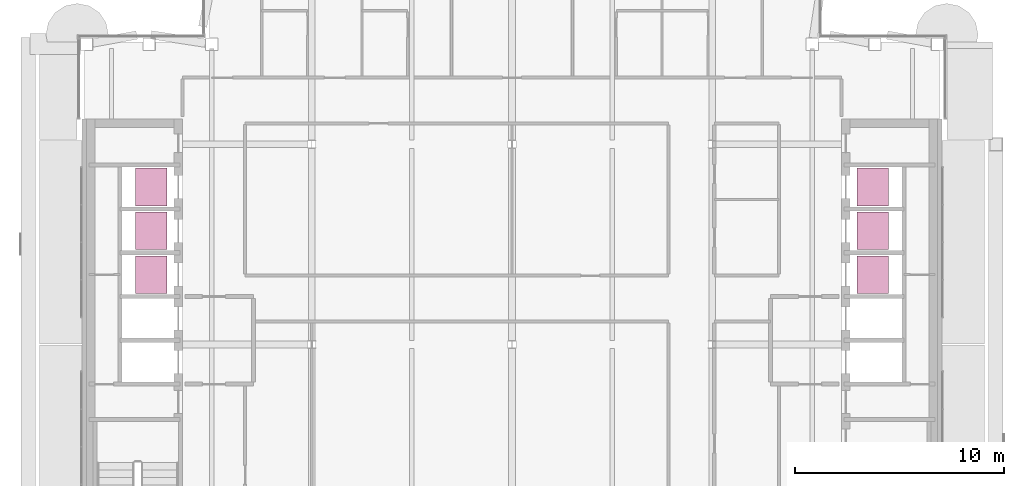
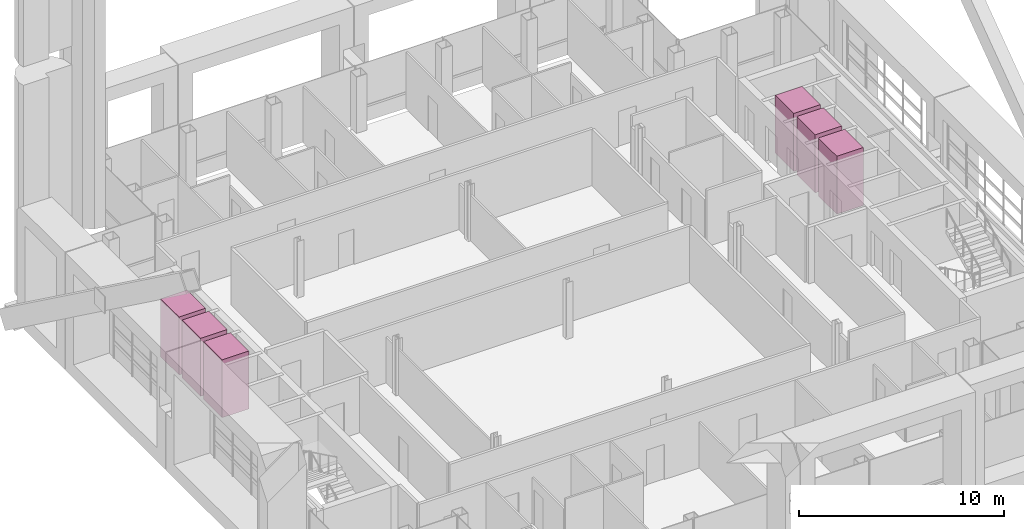
# One storey, part 29 of 29: 6 transport elements.
"""IFC4 building model written with IfcOpenShell, lengths in metres."""

from ifc_helpers import new_model, si_unit, direction, frame, origin, origin_2d, place, context, subcontext, project, spatial, rectangle, extrude, material, type_object, element, save


model = new_model("IFC4")

# Units and contexts
model_context = context("Model", 3, precision=1e-05, world=origin(), true_north=direction((0.0, 1.0)))
body_context = subcontext(model_context, "Body", "Model", "MODEL_VIEW")
ifc_project = project(units=[si_unit("LENGTHUNIT", "METRE"), si_unit("AREAUNIT", "SQUARE_METRE"), si_unit("VOLUMEUNIT", "CUBIC_METRE"), si_unit("PLANEANGLEUNIT", "RADIAN"), si_unit("MASSUNIT", "GRAM", prefix="KILO")], contexts=[model_context])

# Site, building, storey
site_placement = place(None, origin())
site = spatial("IfcSite", under=ifc_project, at=site_placement, CompositionType="ELEMENT")
building_placement = place(site_placement, origin())
building = spatial("IfcBuilding", under=site, at=building_placement, Name="Cobrizo Arcos Hotel Tower", CompositionType="ELEMENT")
storey_placement = place(building_placement, frame((0.0, 0.0, 241.0)))
storey = spatial("IfcBuildingStorey", under=building, at=storey_placement, Name="L63", CompositionType="ELEMENT", Elevation=241.0)

# Transport elements
ifc_material = material(Name="Stainless steel car", Category="steel")
transport_element_type = type_object("IfcTransportElementType", Name="Lift car High 1.8x1.5", PredefinedType="ELEVATOR", material=ifc_material)
for number, where, z_axis, x_axis, name in (
    (1, (-17.300048828125, 3.35009765625, 0.0), (0.0, 0.0, 1.0), (1.0, 0.0, 0.0), "High-rise passenger lift W1"),
    (2, (-17.300048828125, 5.449951171875, 0.0), (0.0, 0.0, 1.0), (1.0, 0.0, 0.0), "High-rise passenger lift W2"),
    (3, (-17.300048828125, 7.550048828125, 0.0), (0.0, 0.0, 1.0), (1.0, 0.0, 0.0), "High-rise passenger lift W3"),
    (4, (17.300048828125, 3.35009765625, 0.0), (0.0, 0.0, 1.0), (1.0, 0.0, 0.0), "High-rise passenger lift E1"),
    (5, (17.300048828125, 5.449951171875, 0.0), (0.0, 0.0, 1.0), (1.0, 0.0, 0.0), "High-rise passenger lift E2"),
    (6, (17.300048828125, 7.550048828125, 0.0), (0.0, 0.0, 1.0), (1.0, 0.0, 0.0), "High-rise passenger lift E3"),
):
    element("IfcTransportElement", number, at=place(storey_placement, frame(where, z_axis=z_axis, x_axis=x_axis)), inside=storey, type_object=transport_element_type, Name=name, PredefinedType="ELEVATOR", context=body_context, shape_type="SweptSolid", body=[
        extrude(rectangle(XDim=1.5, YDim=1.800048828125, at=origin_2d()), origin(), (0.0, 0.0, 1.0), 3.449951171875),
    ])

save(model, "model.ifc")
